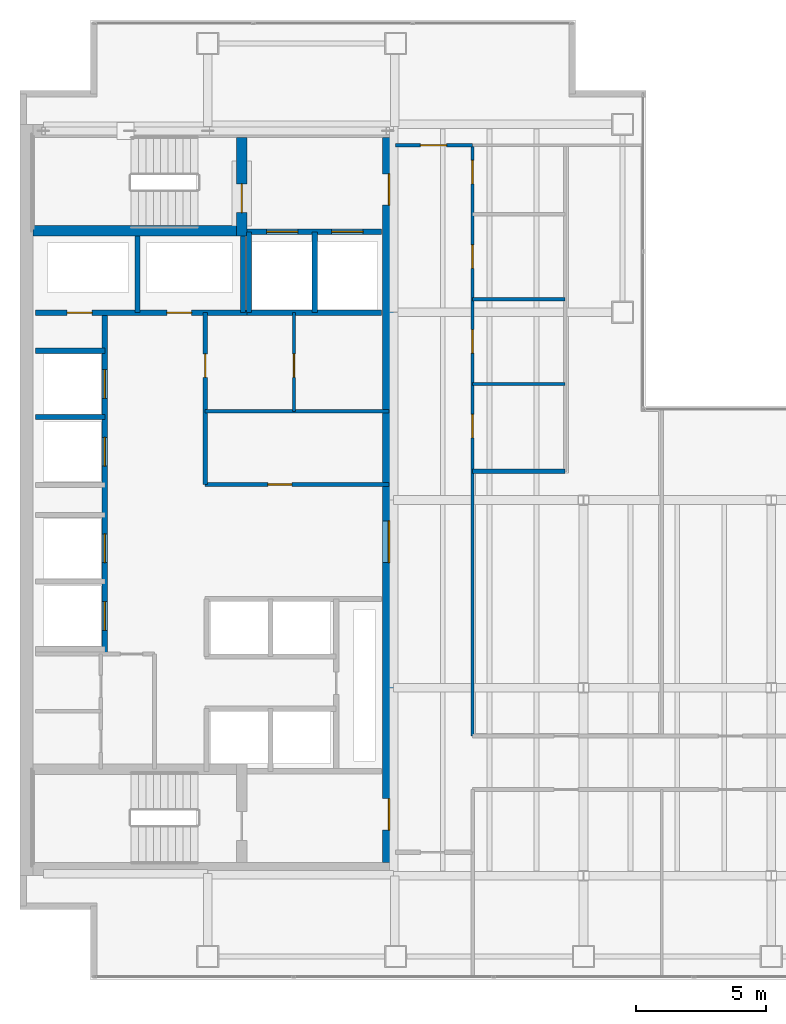
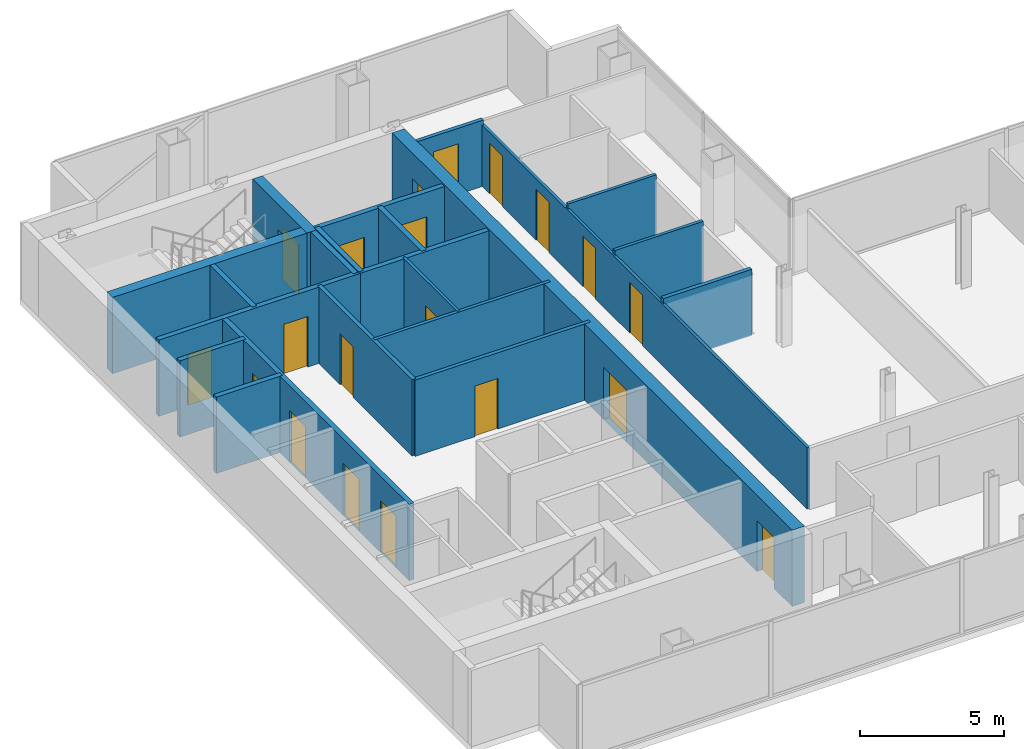
# One storey, part 21 of 23: 22 walls, 20 doors, 20 openings.
"""IFC4 building model written with IfcOpenShell, lengths in metres."""

from ifc_helpers import new_model, si_unit, direction, frame, frame_2d, origin, place, context, subcontext, project, spatial, rectangle, extrude, material, layer, layer_set, type_object, element, fill, save


model = new_model("IFC4")

# Units and contexts
model_context = context("Model", 3, precision=1e-05, world=origin(), true_north=direction((0.0, 1.0)))
body_context = subcontext(model_context, "Body", "Model", "MODEL_VIEW")
ifc_project = project(units=[si_unit("LENGTHUNIT", "METRE"), si_unit("AREAUNIT", "SQUARE_METRE"), si_unit("VOLUMEUNIT", "CUBIC_METRE"), si_unit("PLANEANGLEUNIT", "RADIAN"), si_unit("MASSUNIT", "GRAM", prefix="KILO")], contexts=[model_context])

# Site, building, storey
site_placement = place(None, origin())
site = spatial("IfcSite", under=ifc_project, at=site_placement, CompositionType="ELEMENT")
building_placement = place(site_placement, origin())
building = spatial("IfcBuilding", under=site, at=building_placement, Name="Cobrela Telecom Tower", CompositionType="ELEMENT")
storey_placement = place(building_placement, frame((0.0, 0.0, 173.25)))
storey = spatial("IfcBuildingStorey", under=building, at=storey_placement, Name="L43", CompositionType="ELEMENT", Elevation=173.25)

# Wall, openings, doors
ifc_material_1 = material(Name="Concrete C40/50", Category="concrete")
ifc_layer_1 = layer(ifc_material_1, 0.5)
ifc_layer_set_1 = layer_set([ifc_layer_1], Name="Concrete C40/50")
wall_type_1 = type_object("IfcWallType", Name="WALL-CORE-C40-500", PredefinedType="SHEAR", material=ifc_layer_set_1)
wall_1_placement = place(storey_placement, frame((14.14990234375, 35.5, 0.0), z_axis=(0.0, 0.0, 1.0), x_axis=(0.0, -1.0, 0.0)))
wall_1 = element("IfcWall", 1, at=wall_1_placement, inside=storey, type_object=wall_type_1, Name="L43 East Core Shear Wall", PredefinedType="SHEAR", context=body_context, shape_type="SweptSolid", body=[
    extrude(rectangle(XDim=27.800048828125, YDim=0.5, at=frame_2d((13.89990234375, 0.0))), origin(), (0.0, 0.0, 1.0), 3.239990234375),
])
opening_1_placement = place(wall_1_placement, frame((1.39990234375, 0.0, 0.0)))
opening_1 = element("IfcOpeningElement", 2, at=opening_1_placement, cuts=wall_1, Name="Opening DR-19", PredefinedType="OPENING", context=body_context, shape_type="SweptSolid", body=[
    extrude(rectangle(XDim=1.199951171875, YDim=2.14990234375, at=frame_2d((0.60009765625, 1.074951171875))), frame((0.0, 0.261962890625, 0.0), z_axis=(0.0, -1.0, 0.0), x_axis=(1.0, 0.0, 0.0)), (0.0, 0.0, 1.0), 0.52392578125),
])
opening_2_placement = place(wall_1_placement, frame((25.35009765625, 0.0, 0.0)))
opening_2 = element("IfcOpeningElement", 3, at=opening_2_placement, cuts=wall_1, Name="Opening DR-19", PredefinedType="OPENING", context=body_context, shape_type="SweptSolid", body=[
    extrude(rectangle(XDim=1.199951171875, YDim=2.14990234375, at=frame_2d((0.60009765625, 1.074951171875))), frame((0.0, 0.261962890625, 0.0), z_axis=(0.0, -1.0, 0.0), x_axis=(1.0, 0.0, 0.0)), (0.0, 0.0, 1.0), 0.52392578125),
])
opening_3_placement = place(wall_1_placement, frame((14.699951171875, 0.0, 0.0)))
opening_3 = element("IfcOpeningElement", 4, at=opening_3_placement, cuts=wall_1, Name="Opening DR-51", PredefinedType="OPENING", context=body_context, shape_type="SweptSolid", body=[
    extrude(rectangle(XDim=1.60009765625, YDim=2.199951171875, at=frame_2d((0.800048828125, 1.10009765625))), frame((0.0, 0.261962890625, 0.0), z_axis=(0.0, -1.0, 0.0), x_axis=(1.0, 0.0, 0.0)), (0.0, 0.0, 1.0), 0.52392578125),
])
ifc_material_2 = material(Name="Steel ASTM A36", Category="steel")
door_type_1 = type_object("IfcDoorType", Name="DOOR-FD60-1200", OperationType="SINGLE_SWING_LEFT", PredefinedType="DOOR", material=ifc_material_2)
door_1_placement = place(opening_1_placement, origin())
door_1 = element("IfcDoor", 5, at=door_1_placement, inside=storey, type_object=door_type_1, Name="L43 Door DR-19", OperationType="SINGLE_SWING_LEFT", OverallHeight=2.14990234375, OverallWidth=1.199951171875, PredefinedType="DOOR", context=body_context, shape_type="SweptSolid", body=[
    extrude(rectangle(XDim=1.199951171875, YDim=2.14990234375, at=frame_2d((0.60009765625, 1.074951171875))), frame((0.0, 0.02490234375, 0.0), z_axis=(0.0, -1.0, 0.0), x_axis=(1.0, 0.0, 0.0)), (0.0, 0.0, 1.0), 0.050048828125),
])
fill(opening_1, door_1)
door_2_placement = place(opening_2_placement, origin())
door_2 = element("IfcDoor", 6, at=door_2_placement, inside=storey, type_object=door_type_1, Name="L43 Door DR-19", OperationType="SINGLE_SWING_RIGHT", OverallHeight=2.14990234375, OverallWidth=1.199951171875, PredefinedType="DOOR", context=body_context, shape_type="SweptSolid", body=[
    extrude(rectangle(XDim=1.199951171875, YDim=2.14990234375, at=frame_2d((0.60009765625, 1.074951171875))), frame((0.0, 0.02490234375, 0.0), z_axis=(0.0, -1.0, 0.0), x_axis=(1.0, 0.0, 0.0)), (0.0, 0.0, 1.0), 0.050048828125),
])
fill(opening_2, door_2)
door_type_2 = type_object("IfcDoorType", Name="DOOR-FD60-1600", OperationType="SINGLE_SWING_LEFT", PredefinedType="DOOR", material=ifc_material_2)
door_3_placement = place(opening_3_placement, origin())
door_3 = element("IfcDoor", 7, at=door_3_placement, inside=storey, type_object=door_type_2, Name="L43 Door DR-51", OperationType="DOUBLE_DOOR_SINGLE_SWING", OverallHeight=2.199951171875, OverallWidth=1.60009765625, PredefinedType="DOOR", context=body_context, shape_type="SweptSolid", body=[
    extrude(rectangle(XDim=1.60009765625, YDim=2.199951171875, at=frame_2d((0.800048828125, 1.10009765625))), frame((0.0, 0.02490234375, 0.0), z_axis=(0.0, -1.0, 0.0), x_axis=(1.0, 0.0, 0.0)), (0.0, 0.0, 1.0), 0.050048828125),
])
fill(opening_3, door_3)

# Wall, opening, door
ifc_material_3 = material(Name="Fire-Rated Gypsum Plasterboard")
ifc_layer_2 = layer(ifc_material_3, 0.110107421875)
ifc_layer_set_2 = layer_set([ifc_layer_2], Name="Fire-Rated Gypsum Plasterboard")
wall_type_2 = type_object("IfcWallType", Name="WALL-PART-110", PredefinedType="PARTITIONING", material=ifc_layer_set_2)
wall_2_placement = place(storey_placement, frame((10.5, 25.0, 0.0), z_axis=(0.0, 0.0, 1.0), x_axis=(0.0, 1.0, 0.0)))
wall_2 = element("IfcWall", 8, at=wall_2_placement, inside=storey, type_object=wall_type_2, Name="L43 Interior Partition CW-RECL-VN", PredefinedType="PARTITIONING", context=body_context, shape_type="SweptSolid", body=[
    extrude(rectangle(XDim=3.780029296875, YDim=0.110107421875, at=frame_2d((1.89013671875, 0.0))), origin(), (0.0, 0.0, 1.0), 3.239990234375),
])
opening_4_placement = place(wall_2_placement, frame((1.300048828125, 0.0, 0.0)))
opening_4 = element("IfcOpeningElement", 9, at=opening_4_placement, cuts=wall_2, Name="Opening DR-41", PredefinedType="OPENING", context=body_context, shape_type="SweptSolid", body=[
    extrude(rectangle(XDim=0.89990234375, YDim=2.14990234375, at=frame_2d((0.449951171875, 1.074951171875))), frame((0.0, 0.06689453125, 0.0), z_axis=(0.0, -1.0, 0.0), x_axis=(1.0, 0.0, 0.0)), (0.0, 0.0, 1.0), 0.134033203125),
])
ifc_material_4 = material(Name="Solid Engineered Oak Timber", Category="wood")
door_type_3 = type_object("IfcDoorType", Name="DOOR-INT-900", OperationType="SINGLE_SWING_LEFT", PredefinedType="DOOR", material=ifc_material_4)
door_4_placement = place(opening_4_placement, origin())
door_4 = element("IfcDoor", 10, at=door_4_placement, inside=storey, type_object=door_type_3, Name="L43 Door DR-41", OperationType="SINGLE_SWING_LEFT", OverallHeight=2.14990234375, OverallWidth=0.89990234375, PredefinedType="DOOR", context=body_context, shape_type="SweptSolid", body=[
    extrude(rectangle(XDim=0.89990234375, YDim=2.14990234375, at=frame_2d((0.449951171875, 1.074951171875))), frame((0.0, 0.02490234375, 0.0), z_axis=(0.0, -1.0, 0.0), x_axis=(1.0, 0.0, 0.0)), (0.0, 0.0, 1.0), 0.050048828125),
])
fill(opening_4, door_4)

# Wall, openings, doors
wall_3_placement = place(storey_placement, frame((17.35009765625, 12.550048828125, 0.0), z_axis=(0.0, 0.0, 1.0), x_axis=(0.0, 1.0, 0.0)))
wall_3 = element("IfcWall", 11, at=wall_3_placement, inside=storey, type_object=wall_type_2, Name="L43 Interior Partition W-C-E2", PredefinedType="PARTITIONING", context=body_context, shape_type="SweptSolid", body=[
    extrude(rectangle(XDim=22.64990234375, YDim=0.110107421875, at=frame_2d((11.324951171875, 0.0))), origin(), (0.0, 0.0, 1.0), 2.60302734375),
])
opening_5_placement = place(wall_3_placement, frame((11.429931640625, 0.0, 0.0)))
opening_5 = element("IfcOpeningElement", 12, at=opening_5_placement, cuts=wall_3, Name="Opening DR-41", PredefinedType="OPENING", context=body_context, shape_type="SweptSolid", body=[
    extrude(rectangle(XDim=0.89990234375, YDim=2.14990234375, at=frame_2d((0.449951171875, 1.074951171875))), frame((0.0, 0.06689453125, 0.0), z_axis=(0.0, -1.0, 0.0), x_axis=(1.0, 0.0, 0.0)), (0.0, 0.0, 1.0), 0.134033203125),
])
opening_6_placement = place(wall_3_placement, frame((14.679931640625, 0.0, 0.0)))
opening_6 = element("IfcOpeningElement", 13, at=opening_6_placement, cuts=wall_3, Name="Opening DR-41", PredefinedType="OPENING", context=body_context, shape_type="SweptSolid", body=[
    extrude(rectangle(XDim=0.89990234375, YDim=2.14990234375, at=frame_2d((0.449951171875, 1.074951171875))), frame((0.0, 0.06689453125, 0.0), z_axis=(0.0, -1.0, 0.0), x_axis=(1.0, 0.0, 0.0)), (0.0, 0.0, 1.0), 0.134033203125),
])
opening_7_placement = place(wall_3_placement, frame((17.929931640625, 0.0, 0.0)))
opening_7 = element("IfcOpeningElement", 14, at=opening_7_placement, cuts=wall_3, Name="Opening DR-41", PredefinedType="OPENING", context=body_context, shape_type="SweptSolid", body=[
    extrude(rectangle(XDim=0.89990234375, YDim=2.14990234375, at=frame_2d((0.449951171875, 1.074951171875))), frame((0.0, 0.06689453125, 0.0), z_axis=(0.0, -1.0, 0.0), x_axis=(1.0, 0.0, 0.0)), (0.0, 0.0, 1.0), 0.134033203125),
])
opening_8_placement = place(wall_3_placement, frame((21.169921875, 0.0, 0.0)))
opening_8 = element("IfcOpeningElement", 15, at=opening_8_placement, cuts=wall_3, Name="Opening DR-41", PredefinedType="OPENING", context=body_context, shape_type="SweptSolid", body=[
    extrude(rectangle(XDim=0.89990234375, YDim=2.14990234375, at=frame_2d((0.449951171875, 1.074951171875))), frame((0.0, 0.06689453125, 0.0), z_axis=(0.0, -1.0, 0.0), x_axis=(1.0, 0.0, 0.0)), (0.0, 0.0, 1.0), 0.134033203125),
])
door_5_placement = place(opening_5_placement, origin())
door_5 = element("IfcDoor", 16, at=door_5_placement, inside=storey, type_object=door_type_3, Name="L43 Door DR-41", OperationType="SINGLE_SWING_LEFT", OverallHeight=2.14990234375, OverallWidth=0.89990234375, PredefinedType="DOOR", context=body_context, shape_type="SweptSolid", body=[
    extrude(rectangle(XDim=0.89990234375, YDim=2.14990234375, at=frame_2d((0.449951171875, 1.074951171875))), frame((0.0, 0.02490234375, 0.0), z_axis=(0.0, -1.0, 0.0), x_axis=(1.0, 0.0, 0.0)), (0.0, 0.0, 1.0), 0.050048828125),
])
fill(opening_5, door_5)
door_6_placement = place(opening_6_placement, origin())
door_6 = element("IfcDoor", 17, at=door_6_placement, inside=storey, type_object=door_type_3, Name="L43 Door DR-41", OperationType="SINGLE_SWING_RIGHT", OverallHeight=2.14990234375, OverallWidth=0.89990234375, PredefinedType="DOOR", context=body_context, shape_type="SweptSolid", body=[
    extrude(rectangle(XDim=0.89990234375, YDim=2.14990234375, at=frame_2d((0.449951171875, 1.074951171875))), frame((0.0, 0.02490234375, 0.0), z_axis=(0.0, -1.0, 0.0), x_axis=(1.0, 0.0, 0.0)), (0.0, 0.0, 1.0), 0.050048828125),
])
fill(opening_6, door_6)
door_7_placement = place(opening_7_placement, origin())
door_7 = element("IfcDoor", 18, at=door_7_placement, inside=storey, type_object=door_type_3, Name="L43 Door DR-41", OperationType="SINGLE_SWING_LEFT", OverallHeight=2.14990234375, OverallWidth=0.89990234375, PredefinedType="DOOR", context=body_context, shape_type="SweptSolid", body=[
    extrude(rectangle(XDim=0.89990234375, YDim=2.14990234375, at=frame_2d((0.449951171875, 1.074951171875))), frame((0.0, 0.02490234375, 0.0), z_axis=(0.0, -1.0, 0.0), x_axis=(1.0, 0.0, 0.0)), (0.0, 0.0, 1.0), 0.050048828125),
])
fill(opening_7, door_7)
door_8_placement = place(opening_8_placement, origin())
door_8 = element("IfcDoor", 19, at=door_8_placement, inside=storey, type_object=door_type_3, Name="L43 Door DR-41", OperationType="SINGLE_SWING_RIGHT", OverallHeight=2.14990234375, OverallWidth=0.89990234375, PredefinedType="DOOR", context=body_context, shape_type="SweptSolid", body=[
    extrude(rectangle(XDim=0.89990234375, YDim=2.14990234375, at=frame_2d((0.449951171875, 1.074951171875))), frame((0.0, 0.02490234375, 0.0), z_axis=(0.0, -1.0, 0.0), x_axis=(1.0, 0.0, 0.0)), (0.0, 0.0, 1.0), 0.050048828125),
])
fill(opening_8, door_8)

# Walls
ifc_layer_3 = layer(ifc_material_3, 0.125)
ifc_layer_set_3 = layer_set([ifc_layer_3], Name="Fire-Rated Gypsum Plasterboard")
wall_type_3 = type_object("IfcWallType", Name="WALL-PART-125", PredefinedType="PARTITIONING", material=ifc_layer_set_3)
for number, where, z_axis, x_axis, name in (
    (20, (17.35009765625, 26.050048828125, 0.0), (0.0, 0.0, 1.0), (1.0, 0.0, 0.0), "L43 Interior Partition W-WCD-1"),
    (21, (17.35009765625, 29.300048828125, 0.0), (0.0, 0.0, 1.0), (1.0, 0.0, 0.0), "L43 Interior Partition W-WCD-2"),
):
    element("IfcWall", number, at=place(storey_placement, frame(where, z_axis=z_axis, x_axis=x_axis)), inside=storey, type_object=wall_type_3, Name=name, PredefinedType="PARTITIONING", context=body_context, shape_type="SweptSolid", body=[
        extrude(rectangle(XDim=3.5498046875, YDim=0.125, at=frame_2d((1.77490234375, 0.0))), origin(), (0.0, 0.0, 1.0), 2.80810546875),
    ])
ifc_layer_4 = layer(ifc_material_3, 0.135009765625)
ifc_layer_set_4 = layer_set([ifc_layer_4], Name="Fire-Rated Gypsum Plasterboard")
wall_type_4 = type_object("IfcWallType", Name="WALL-PART-135", PredefinedType="PARTITIONING", material=ifc_layer_set_4)
wall_4_placement = place(storey_placement, frame((7.10009765625, 25.0, 0.0), z_axis=(0.0, 0.0, 1.0), x_axis=(1.0, 0.0, 0.0)))
element("IfcWall", 22, at=wall_4_placement, inside=storey, type_object=wall_type_4, Name="L43 Interior Partition CW-RECL-H", PredefinedType="PARTITIONING", context=body_context, shape_type="SweptSolid", body=[
    extrude(rectangle(XDim=7.0498046875, YDim=0.135009765625, at=frame_2d((3.52490234375, 0.0))), origin(), (0.0, 0.0, 1.0), 3.239990234375),
])

# Wall, opening, door
ifc_layer_5 = layer(ifc_material_3, 0.14990234375)
ifc_layer_set_5 = layer_set([ifc_layer_5], Name="Fire-Rated Gypsum Plasterboard")
wall_type_5 = type_object("IfcWallType", Name="WALL-PART-150", PredefinedType="PARTITIONING", material=ifc_layer_set_5)
wall_5_placement = place(storey_placement, frame((7.10009765625, 22.199951171875, 0.0), z_axis=(0.0, 0.0, 1.0), x_axis=(1.0, 0.0, 0.0)))
wall_5 = element("IfcWall", 23, at=wall_5_placement, inside=storey, type_object=wall_type_5, Name="L43 Interior Partition CW-RECL-S", PredefinedType="PARTITIONING", context=body_context, shape_type="SweptSolid", body=[
    extrude(rectangle(XDim=7.0498046875, YDim=0.14990234375, at=frame_2d((3.52490234375, 0.0))), origin(), (0.0, 0.0, 1.0), 3.239990234375),
])
opening_9_placement = place(wall_5_placement, frame((2.39990234375, 0.0, 0.0)))
opening_9 = element("IfcOpeningElement", 24, at=opening_9_placement, cuts=wall_5, Name="Opening DR-45", PredefinedType="OPENING", context=body_context, shape_type="SweptSolid", body=[
    extrude(rectangle(XDim=0.919921875, YDim=2.14990234375, at=frame_2d((0.4599609375, 1.074951171875))), frame((0.0, 0.0869140625, 0.0), z_axis=(0.0, -1.0, 0.0), x_axis=(1.0, 0.0, 0.0)), (0.0, 0.0, 1.0), 0.173828125),
])
door_type_4 = type_object("IfcDoorType", Name="DOOR-INT-920", OperationType="SINGLE_SWING_LEFT", PredefinedType="DOOR", material=ifc_material_4)
door_9_placement = place(opening_9_placement, origin())
door_9 = element("IfcDoor", 25, at=door_9_placement, inside=storey, type_object=door_type_4, Name="L43 Door DR-45", OperationType="SINGLE_SWING_LEFT", OverallHeight=2.14990234375, OverallWidth=0.919921875, PredefinedType="DOOR", context=body_context, shape_type="SweptSolid", body=[
    extrude(rectangle(XDim=0.919921875, YDim=2.14990234375, at=frame_2d((0.4599609375, 1.074951171875))), frame((0.0, 0.02490234375, 0.0), z_axis=(0.0, -1.0, 0.0), x_axis=(1.0, 0.0, 0.0)), (0.0, 0.0, 1.0), 0.050048828125),
])
fill(opening_9, door_9)

wall_6_placement = place(storey_placement, frame((14.39990234375, 35.199951171875, 0.0), z_axis=(0.0, 0.0, 1.0), x_axis=(1.0, 0.0, 0.0)))
wall_6 = element("IfcWall", 26, at=wall_6_placement, inside=storey, type_object=wall_type_5, Name="L43 Interior Partition W-C-N0", PredefinedType="PARTITIONING", context=body_context, shape_type="SweptSolid", body=[
    extrude(rectangle(XDim=2.9501953125, YDim=0.14990234375, at=frame_2d((1.47509765625, 0.0))), origin(), (0.0, 0.0, 1.0), 2.80810546875),
])
opening_10_placement = place(wall_6_placement, frame((0.949951171875, 0.0, 0.0)))
opening_10 = element("IfcOpeningElement", 27, at=opening_10_placement, cuts=wall_6, Name="Opening DR-31", PredefinedType="OPENING", context=body_context, shape_type="SweptSolid", body=[
    extrude(rectangle(XDim=1.0, YDim=2.14990234375, at=frame_2d((0.5, 1.074951171875))), frame((0.0, 0.0869140625, 0.0), z_axis=(0.0, -1.0, 0.0), x_axis=(1.0, 0.0, 0.0)), (0.0, 0.0, 1.0), 0.173828125),
])
door_type_5 = type_object("IfcDoorType", Name="DOOR-INT-1000", OperationType="SINGLE_SWING_LEFT", PredefinedType="DOOR", material=ifc_material_4)
door_10_placement = place(opening_10_placement, origin())
door_10 = element("IfcDoor", 28, at=door_10_placement, inside=storey, type_object=door_type_5, Name="L43 Door DR-31", OperationType="SINGLE_SWING_LEFT", OverallHeight=2.14990234375, OverallWidth=1.0, PredefinedType="DOOR", context=body_context, shape_type="SweptSolid", body=[
    extrude(rectangle(XDim=1.0, YDim=2.14990234375, at=frame_2d((0.5, 1.074951171875))), frame((0.0, 0.02490234375, 0.0), z_axis=(0.0, -1.0, 0.0), x_axis=(1.0, 0.0, 0.0)), (0.0, 0.0, 1.0), 0.050048828125),
])
fill(opening_10, door_10)

ifc_layer_6 = layer(ifc_material_3, 0.159912109375)
ifc_layer_set_6 = layer_set([ifc_layer_6], Name="Fire-Rated Gypsum Plasterboard")
wall_type_6 = type_object("IfcWallType", Name="WALL-PART-160", PredefinedType="PARTITIONING", material=ifc_layer_set_6)
wall_7_placement = place(storey_placement, frame((7.10009765625, 22.199951171875, 0.0), z_axis=(0.0, 0.0, 1.0), x_axis=(0.0, 1.0, 0.0)))
wall_7 = element("IfcWall", 29, at=wall_7_placement, inside=storey, type_object=wall_type_6, Name="L43 Interior Partition CW-RECL-W", PredefinedType="PARTITIONING", context=body_context, shape_type="SweptSolid", body=[
    extrude(rectangle(XDim=6.580078125, YDim=0.159912109375, at=frame_2d((3.2900390625, 0.0))), origin(), (0.0, 0.0, 1.0), 3.239990234375),
])
opening_11_placement = place(wall_7_placement, frame((4.10009765625, 0.0, 0.0)))
opening_11 = element("IfcOpeningElement", 30, at=opening_11_placement, cuts=wall_7, Name="Opening DR-41", PredefinedType="OPENING", context=body_context, shape_type="SweptSolid", body=[
    extrude(rectangle(XDim=0.89990234375, YDim=2.14990234375, at=frame_2d((0.449951171875, 1.074951171875))), frame((0.0, 0.091796875, 0.0), z_axis=(0.0, -1.0, 0.0), x_axis=(1.0, 0.0, 0.0)), (0.0, 0.0, 1.0), 0.183837890625),
])
door_11_placement = place(opening_11_placement, origin())
door_11 = element("IfcDoor", 31, at=door_11_placement, inside=storey, type_object=door_type_3, Name="L43 Door DR-41", OperationType="SINGLE_SWING_RIGHT", OverallHeight=2.14990234375, OverallWidth=0.89990234375, PredefinedType="DOOR", context=body_context, shape_type="SweptSolid", body=[
    extrude(rectangle(XDim=0.89990234375, YDim=2.14990234375, at=frame_2d((0.449951171875, 1.074951171875))), frame((0.0, 0.02490234375, 0.0), z_axis=(0.0, -1.0, 0.0), x_axis=(1.0, 0.0, 0.0)), (0.0, 0.0, 1.0), 0.050048828125),
])
fill(opening_11, door_11)

# Wall
wall_8_placement = place(storey_placement, frame((17.35009765625, 22.699951171875, 0.0), z_axis=(0.0, 0.0, 1.0), x_axis=(1.0, 0.0, 0.0)))
element("IfcWall", 32, at=wall_8_placement, inside=storey, type_object=wall_type_6, Name="L43 Interior Partition W-WC-S", PredefinedType="PARTITIONING", context=body_context, shape_type="SweptSolid", body=[
    extrude(rectangle(XDim=3.5498046875, YDim=0.159912109375, at=frame_2d((1.77490234375, 0.0))), origin(), (0.0, 0.0, 1.0), 2.80810546875),
])

# Wall, openings, doors
ifc_layer_7 = layer(ifc_material_3, 0.199951171875)
ifc_layer_set_7 = layer_set([ifc_layer_7], Name="Fire-Rated Gypsum Plasterboard")
wall_type_7 = type_object("IfcWallType", Name="WALL-SHAFT-200", PredefinedType="PARTITIONING", material=ifc_layer_set_7)
wall_9_placement = place(storey_placement, frame((8.699951171875, 31.8798828125, 0.0), z_axis=(0.0, 0.0, 1.0), x_axis=(1.0, 0.0, 0.0)))
wall_9 = element("IfcWall", 33, at=wall_9_placement, inside=storey, type_object=wall_type_7, Name="L43 Shaft Enclosure CW-FFL-S", PredefinedType="PARTITIONING", context=body_context, shape_type="SweptSolid", body=[
    extrude(rectangle(XDim=5.150146484375, YDim=0.199951171875, at=frame_2d((2.5751953125, 0.0))), origin(), (0.0, 0.0, 1.0), 3.239990234375),
])
opening_12_placement = place(wall_9_placement, frame((0.75, 0.0, 0.0)))
opening_12 = element("IfcOpeningElement", 34, at=opening_12_placement, cuts=wall_9, Name="Opening LD-2", PredefinedType="OPENING", context=body_context, shape_type="SweptSolid", body=[
    extrude(rectangle(XDim=1.199951171875, YDim=2.199951171875, at=frame_2d((0.60009765625, 1.10009765625))), frame((0.0, 0.11181640625, 0.0), z_axis=(0.0, -1.0, 0.0), x_axis=(1.0, 0.0, 0.0)), (0.0, 0.0, 1.0), 0.223876953125),
])
opening_13_placement = place(wall_9_placement, frame((3.25, 0.0, 0.0)))
opening_13 = element("IfcOpeningElement", 35, at=opening_13_placement, cuts=wall_9, Name="Opening LD-2", PredefinedType="OPENING", context=body_context, shape_type="SweptSolid", body=[
    extrude(rectangle(XDim=1.199951171875, YDim=2.199951171875, at=frame_2d((0.60009765625, 1.10009765625))), frame((0.0, 0.11181640625, 0.0), z_axis=(0.0, -1.0, 0.0), x_axis=(1.0, 0.0, 0.0)), (0.0, 0.0, 1.0), 0.223876953125),
])
door_type_6 = type_object("IfcDoorType", Name="DOOR-LD-FFL", OperationType="SINGLE_SWING_LEFT", PredefinedType="DOOR", material=ifc_material_2)
door_12_placement = place(opening_12_placement, origin())
door_12 = element("IfcDoor", 36, at=door_12_placement, inside=storey, type_object=door_type_6, Name="L43 Lift Landing Door LD-2", OperationType="DOUBLE_DOOR_SLIDING", OverallHeight=2.199951171875, OverallWidth=1.199951171875, PredefinedType="DOOR", context=body_context, shape_type="SweptSolid", body=[
    extrude(rectangle(XDim=1.199951171875, YDim=2.199951171875, at=frame_2d((0.60009765625, 1.10009765625))), frame((0.0, 0.02490234375, 0.0), z_axis=(0.0, -1.0, 0.0), x_axis=(1.0, 0.0, 0.0)), (0.0, 0.0, 1.0), 0.050048828125),
])
fill(opening_12, door_12)
door_13_placement = place(opening_13_placement, origin())
door_13 = element("IfcDoor", 37, at=door_13_placement, inside=storey, type_object=door_type_6, Name="L43 Lift Landing Door LD-2", OperationType="DOUBLE_DOOR_SLIDING", OverallHeight=2.199951171875, OverallWidth=1.199951171875, PredefinedType="DOOR", context=body_context, shape_type="SweptSolid", body=[
    extrude(rectangle(XDim=1.199951171875, YDim=2.199951171875, at=frame_2d((0.60009765625, 1.10009765625))), frame((0.0, 0.02490234375, 0.0), z_axis=(0.0, -1.0, 0.0), x_axis=(1.0, 0.0, 0.0)), (0.0, 0.0, 1.0), 0.050048828125),
])
fill(opening_13, door_13)

# Walls
wall_10_placement = place(storey_placement, frame((8.699951171875, 28.780029296875, 0.0), z_axis=(0.0, 0.0, 1.0), x_axis=(1.0, 0.0, 0.0)))
element("IfcWall", 38, at=wall_10_placement, inside=storey, type_object=wall_type_7, Name="L43 Shaft Enclosure CW-FFL-S2", PredefinedType="PARTITIONING", context=body_context, shape_type="SweptSolid", body=[
    extrude(rectangle(XDim=5.150146484375, YDim=0.199951171875, at=frame_2d((2.5751953125, 0.0))), origin(), (0.0, 0.0, 1.0), 3.239990234375),
])
for number, where, z_axis, x_axis, name in (
    (39, (8.780029296875, 28.780029296875, 0.0), (0.0, 0.0, 1.0), (0.0, 1.0, 0.0), "L43 Shaft Enclosure CW-FFL-W"),
    (40, (11.300048828125, 28.780029296875, 0.0), (0.0, 0.0, 1.0), (0.0, 1.0, 0.0), "L43 Shaft Enclosure CW-FFL-M"),
):
    element("IfcWall", number, at=place(storey_placement, frame(where, z_axis=z_axis, x_axis=x_axis)), inside=storey, type_object=wall_type_7, Name=name, PredefinedType="PARTITIONING", context=body_context, shape_type="SweptSolid", body=[
        extrude(rectangle(XDim=3.099853515625, YDim=0.199951171875, at=frame_2d((1.5498046875, 0.0))), origin(), (0.0, 0.0, 1.0), 3.239990234375),
    ])

# Wall, openings, doors
wall_11_placement = place(storey_placement, frame((0.60009765625, 28.780029296875, 0.0), z_axis=(0.0, 0.0, 1.0), x_axis=(1.0, 0.0, 0.0)))
wall_11 = element("IfcWall", 41, at=wall_11_placement, inside=storey, type_object=wall_type_7, Name="L43 Shaft Enclosure CW-RIS-S", PredefinedType="PARTITIONING", context=body_context, shape_type="SweptSolid", body=[
    extrude(rectangle(XDim=8.179931640625, YDim=0.199951171875, at=frame_2d((4.08984375, 0.0))), origin(), (0.0, 0.0, 1.0), 3.239990234375),
])
opening_14_placement = place(wall_11_placement, frame((1.2099609375, 0.0, 0.0)))
opening_14 = element("IfcOpeningElement", 42, at=opening_14_placement, cuts=wall_11, Name="Opening DR-65", PredefinedType="OPENING", context=body_context, shape_type="SweptSolid", body=[
    extrude(rectangle(XDim=0.949951171875, YDim=2.14990234375, at=frame_2d((0.47509765625, 1.074951171875))), frame((0.0, 0.11181640625, 0.0), z_axis=(0.0, -1.0, 0.0), x_axis=(1.0, 0.0, 0.0)), (0.0, 0.0, 1.0), 0.223876953125),
])
opening_15_placement = place(wall_11_placement, frame((5.030029296875, 0.0, 0.0)))
opening_15 = element("IfcOpeningElement", 43, at=opening_15_placement, cuts=wall_11, Name="Opening DR-65", PredefinedType="OPENING", context=body_context, shape_type="SweptSolid", body=[
    extrude(rectangle(XDim=0.949951171875, YDim=2.14990234375, at=frame_2d((0.47509765625, 1.074951171875))), frame((0.0, 0.11181640625, 0.0), z_axis=(0.0, -1.0, 0.0), x_axis=(1.0, 0.0, 0.0)), (0.0, 0.0, 1.0), 0.223876953125),
])
door_type_7 = type_object("IfcDoorType", Name="DOOR-FD60-950", OperationType="SINGLE_SWING_LEFT", PredefinedType="DOOR", material=ifc_material_2)
door_14_placement = place(opening_14_placement, origin())
door_14 = element("IfcDoor", 44, at=door_14_placement, inside=storey, type_object=door_type_7, Name="L43 Door DR-65", OperationType="SINGLE_SWING_LEFT", OverallHeight=2.14990234375, OverallWidth=0.949951171875, PredefinedType="DOOR", context=body_context, shape_type="SweptSolid", body=[
    extrude(rectangle(XDim=0.949951171875, YDim=2.14990234375, at=frame_2d((0.47509765625, 1.074951171875))), frame((0.0, 0.02490234375, 0.0), z_axis=(0.0, -1.0, 0.0), x_axis=(1.0, 0.0, 0.0)), (0.0, 0.0, 1.0), 0.050048828125),
])
fill(opening_14, door_14)
door_15_placement = place(opening_15_placement, origin())
door_15 = element("IfcDoor", 45, at=door_15_placement, inside=storey, type_object=door_type_7, Name="L43 Door DR-65", OperationType="SINGLE_SWING_RIGHT", OverallHeight=2.14990234375, OverallWidth=0.949951171875, PredefinedType="DOOR", context=body_context, shape_type="SweptSolid", body=[
    extrude(rectangle(XDim=0.949951171875, YDim=2.14990234375, at=frame_2d((0.47509765625, 1.074951171875))), frame((0.0, 0.02490234375, 0.0), z_axis=(0.0, -1.0, 0.0), x_axis=(1.0, 0.0, 0.0)), (0.0, 0.0, 1.0), 0.050048828125),
])
fill(opening_15, door_15)

# Walls
for number, where, z_axis, x_axis, name in (
    (46, (4.5, 28.780029296875, 0.0), (0.0, 0.0, 1.0), (0.0, 1.0, 0.0), "L43 Shaft Enclosure CW-RIS-M"),
    (47, (8.550048828125, 28.780029296875, 0.0), (0.0, 0.0, 1.0), (0.0, 1.0, 0.0), "L43 Shaft Enclosure CW-RIS-E"),
):
    element("IfcWall", number, at=place(storey_placement, frame(where, z_axis=z_axis, x_axis=x_axis)), inside=storey, type_object=wall_type_7, Name=name, PredefinedType="PARTITIONING", context=body_context, shape_type="SweptSolid", body=[
        extrude(rectangle(XDim=2.93994140625, YDim=0.199951171875, at=frame_2d((1.469970703125, 0.0))), origin(), (0.0, 0.0, 1.0), 3.239990234375),
    ])

# Wall, openings, doors
wall_12_placement = place(storey_placement, frame((3.25, 15.699951171875, 0.0), z_axis=(0.0, 0.0, 1.0), x_axis=(0.0, 1.0, 0.0)))
wall_12 = element("IfcWall", 48, at=wall_12_placement, inside=storey, type_object=wall_type_7, Name="L43 Shaft Enclosure CW-PLH-E", PredefinedType="PARTITIONING", context=body_context, shape_type="SweptSolid", body=[
    extrude(rectangle(XDim=13.080078125, YDim=0.199951171875, at=frame_2d((6.5400390625, 0.0))), origin(), (0.0, 0.0, 1.0), 3.239990234375),
])
opening_16_placement = place(wall_12_placement, frame((0.89990234375, 0.0, 0.0)))
opening_16 = element("IfcOpeningElement", 49, at=opening_16_placement, cuts=wall_12, Name="Opening LD-1", PredefinedType="OPENING", context=body_context, shape_type="SweptSolid", body=[
    extrude(rectangle(XDim=1.10009765625, YDim=2.199951171875, at=frame_2d((0.550048828125, 1.10009765625))), frame((0.0, 0.11181640625, 0.0), z_axis=(0.0, -1.0, 0.0), x_axis=(1.0, 0.0, 0.0)), (0.0, 0.0, 1.0), 0.223876953125),
])
opening_17_placement = place(wall_12_placement, frame((3.5, 0.0, 0.0)))
opening_17 = element("IfcOpeningElement", 50, at=opening_17_placement, cuts=wall_12, Name="Opening LD-1", PredefinedType="OPENING", context=body_context, shape_type="SweptSolid", body=[
    extrude(rectangle(XDim=1.10009765625, YDim=2.199951171875, at=frame_2d((0.550048828125, 1.10009765625))), frame((0.0, 0.11181640625, 0.0), z_axis=(0.0, -1.0, 0.0), x_axis=(1.0, 0.0, 0.0)), (0.0, 0.0, 1.0), 0.223876953125),
])
opening_18_placement = place(wall_12_placement, frame((7.199951171875, 0.0, 0.0)))
opening_18 = element("IfcOpeningElement", 51, at=opening_18_placement, cuts=wall_12, Name="Opening LD-1", PredefinedType="OPENING", context=body_context, shape_type="SweptSolid", body=[
    extrude(rectangle(XDim=1.10009765625, YDim=2.199951171875, at=frame_2d((0.550048828125, 1.10009765625))), frame((0.0, 0.11181640625, 0.0), z_axis=(0.0, -1.0, 0.0), x_axis=(1.0, 0.0, 0.0)), (0.0, 0.0, 1.0), 0.223876953125),
])
opening_19_placement = place(wall_12_placement, frame((9.800048828125, 0.0, 0.0)))
opening_19 = element("IfcOpeningElement", 52, at=opening_19_placement, cuts=wall_12, Name="Opening LD-1", PredefinedType="OPENING", context=body_context, shape_type="SweptSolid", body=[
    extrude(rectangle(XDim=1.10009765625, YDim=2.199951171875, at=frame_2d((0.550048828125, 1.10009765625))), frame((0.0, 0.11181640625, 0.0), z_axis=(0.0, -1.0, 0.0), x_axis=(1.0, 0.0, 0.0)), (0.0, 0.0, 1.0), 0.223876953125),
])
door_type_8 = type_object("IfcDoorType", Name="DOOR-LD-PL", OperationType="SINGLE_SWING_LEFT", PredefinedType="DOOR", material=ifc_material_2)
door_16_placement = place(opening_16_placement, origin())
door_16 = element("IfcDoor", 53, at=door_16_placement, inside=storey, type_object=door_type_8, Name="L43 Lift Landing Door LD-1", OperationType="DOUBLE_DOOR_SLIDING", OverallHeight=2.199951171875, OverallWidth=1.10009765625, PredefinedType="DOOR", context=body_context, shape_type="SweptSolid", body=[
    extrude(rectangle(XDim=1.10009765625, YDim=2.199951171875, at=frame_2d((0.550048828125, 1.10009765625))), frame((0.0, 0.02490234375, 0.0), z_axis=(0.0, -1.0, 0.0), x_axis=(1.0, 0.0, 0.0)), (0.0, 0.0, 1.0), 0.050048828125),
])
fill(opening_16, door_16)
door_17_placement = place(opening_17_placement, origin())
door_17 = element("IfcDoor", 54, at=door_17_placement, inside=storey, type_object=door_type_8, Name="L43 Lift Landing Door LD-1", OperationType="DOUBLE_DOOR_SLIDING", OverallHeight=2.199951171875, OverallWidth=1.10009765625, PredefinedType="DOOR", context=body_context, shape_type="SweptSolid", body=[
    extrude(rectangle(XDim=1.10009765625, YDim=2.199951171875, at=frame_2d((0.550048828125, 1.10009765625))), frame((0.0, 0.02490234375, 0.0), z_axis=(0.0, -1.0, 0.0), x_axis=(1.0, 0.0, 0.0)), (0.0, 0.0, 1.0), 0.050048828125),
])
fill(opening_17, door_17)
door_18_placement = place(opening_18_placement, origin())
door_18 = element("IfcDoor", 55, at=door_18_placement, inside=storey, type_object=door_type_8, Name="L43 Lift Landing Door LD-1", OperationType="DOUBLE_DOOR_SLIDING", OverallHeight=2.199951171875, OverallWidth=1.10009765625, PredefinedType="DOOR", context=body_context, shape_type="SweptSolid", body=[
    extrude(rectangle(XDim=1.10009765625, YDim=2.199951171875, at=frame_2d((0.550048828125, 1.10009765625))), frame((0.0, 0.02490234375, 0.0), z_axis=(0.0, -1.0, 0.0), x_axis=(1.0, 0.0, 0.0)), (0.0, 0.0, 1.0), 0.050048828125),
])
fill(opening_18, door_18)
door_19_placement = place(opening_19_placement, origin())
door_19 = element("IfcDoor", 56, at=door_19_placement, inside=storey, type_object=door_type_8, Name="L43 Lift Landing Door LD-1", OperationType="DOUBLE_DOOR_SLIDING", OverallHeight=2.199951171875, OverallWidth=1.10009765625, PredefinedType="DOOR", context=body_context, shape_type="SweptSolid", body=[
    extrude(rectangle(XDim=1.10009765625, YDim=2.199951171875, at=frame_2d((0.550048828125, 1.10009765625))), frame((0.0, 0.02490234375, 0.0), z_axis=(0.0, -1.0, 0.0), x_axis=(1.0, 0.0, 0.0)), (0.0, 0.0, 1.0), 0.050048828125),
])
fill(opening_19, door_19)

# Walls
for number, where, z_axis, x_axis, name in (
    (57, (0.60009765625, 24.780029296875, 0.0), (0.0, 0.0, 1.0), (1.0, 0.0, 0.0), "L43 Shaft Enclosure CW-PLH-D12"),
    (58, (0.60009765625, 27.320068359375, 0.0), (0.0, 0.0, 1.0), (1.0, 0.0, 0.0), "L43 Shaft Enclosure CW-PLH-TOP"),
):
    element("IfcWall", number, at=place(storey_placement, frame(where, z_axis=z_axis, x_axis=x_axis)), inside=storey, type_object=wall_type_7, Name=name, PredefinedType="PARTITIONING", context=body_context, shape_type="SweptSolid", body=[
        extrude(rectangle(XDim=2.64990234375, YDim=0.199951171875, at=frame_2d((1.324951171875, 0.0))), origin(), (0.0, 0.0, 1.0), 3.239990234375),
    ])
ifc_layer_8 = layer(ifc_material_1, 0.39990234375)
ifc_layer_set_8 = layer_set([ifc_layer_8], Name="Concrete C40/50")
wall_type_8 = type_object("IfcWallType", Name="WALL-SHAFT-C40-400", PredefinedType="SHEAR", material=ifc_layer_set_8)
wall_13_placement = place(storey_placement, frame((0.5, 31.919921875, 0.0), z_axis=(0.0, 0.0, 1.0), x_axis=(1.0, 0.0, 0.0)))
element("IfcWall", 59, at=wall_13_placement, inside=storey, type_object=wall_type_8, Name="L43 North Stair Shear Wall", PredefinedType="SHEAR", context=body_context, shape_type="SweptSolid", body=[
    extrude(rectangle(XDim=7.800048828125, YDim=0.39990234375, at=frame_2d((3.89990234375, 0.0))), origin(), (0.0, 0.0, 1.0), 3.239990234375),
])

# Wall, opening, door
wall_14_placement = place(storey_placement, frame((8.5, 31.719970703125, 0.0), z_axis=(0.0, 0.0, 1.0), x_axis=(0.0, 1.0, 0.0)))
wall_14 = element("IfcWall", 60, at=wall_14_placement, inside=storey, type_object=wall_type_8, Name="L43 North Stair Lobby Shear Wall", PredefinedType="SHEAR", context=body_context, shape_type="SweptSolid", body=[
    extrude(rectangle(XDim=3.780029296875, YDim=0.39990234375, at=frame_2d((1.89013671875, 0.0))), origin(), (0.0, 0.0, 1.0), 3.239990234375),
])
opening_20_placement = place(wall_14_placement, frame((0.89990234375, 0.0, 0.0)))
opening_20 = element("IfcOpeningElement", 61, at=opening_20_placement, cuts=wall_14, Name="Opening DR-59", PredefinedType="OPENING", context=body_context, shape_type="SweptSolid", body=[
    extrude(rectangle(XDim=1.10009765625, YDim=2.14990234375, at=frame_2d((0.550048828125, 1.074951171875))), frame((0.0, 0.2119140625, 0.0), z_axis=(0.0, -1.0, 0.0), x_axis=(1.0, 0.0, 0.0)), (0.0, 0.0, 1.0), 0.423828125),
])
door_type_9 = type_object("IfcDoorType", Name="DOOR-FD60-1100", OperationType="SINGLE_SWING_LEFT", PredefinedType="DOOR", material=ifc_material_2)
door_20_placement = place(opening_20_placement, origin())
door_20 = element("IfcDoor", 62, at=door_20_placement, inside=storey, type_object=door_type_9, Name="L43 Door DR-59", OperationType="SINGLE_SWING_RIGHT", OverallHeight=2.14990234375, OverallWidth=1.10009765625, PredefinedType="DOOR", context=body_context, shape_type="SweptSolid", body=[
    extrude(rectangle(XDim=1.10009765625, YDim=2.14990234375, at=frame_2d((0.550048828125, 1.074951171875))), frame((0.0, 0.02490234375, 0.0), z_axis=(0.0, -1.0, 0.0), x_axis=(1.0, 0.0, 0.0)), (0.0, 0.0, 1.0), 0.050048828125),
])
fill(opening_20, door_20)

save(model, "model.ifc")
